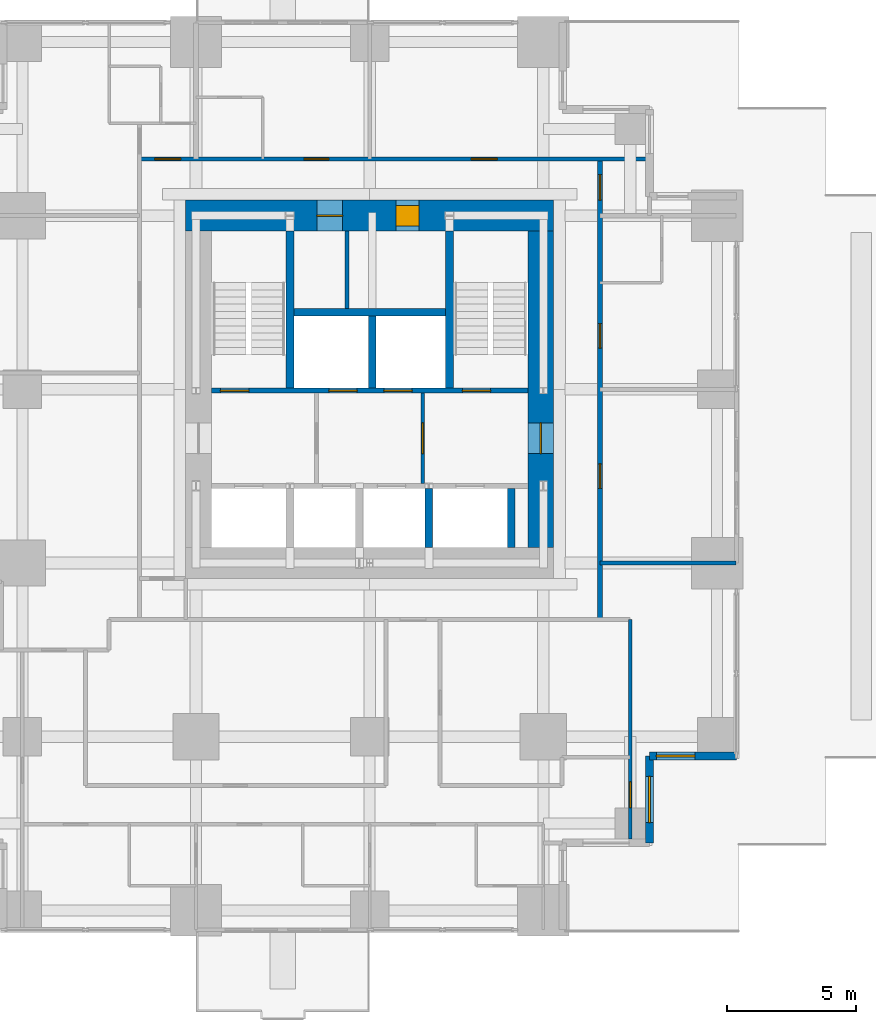
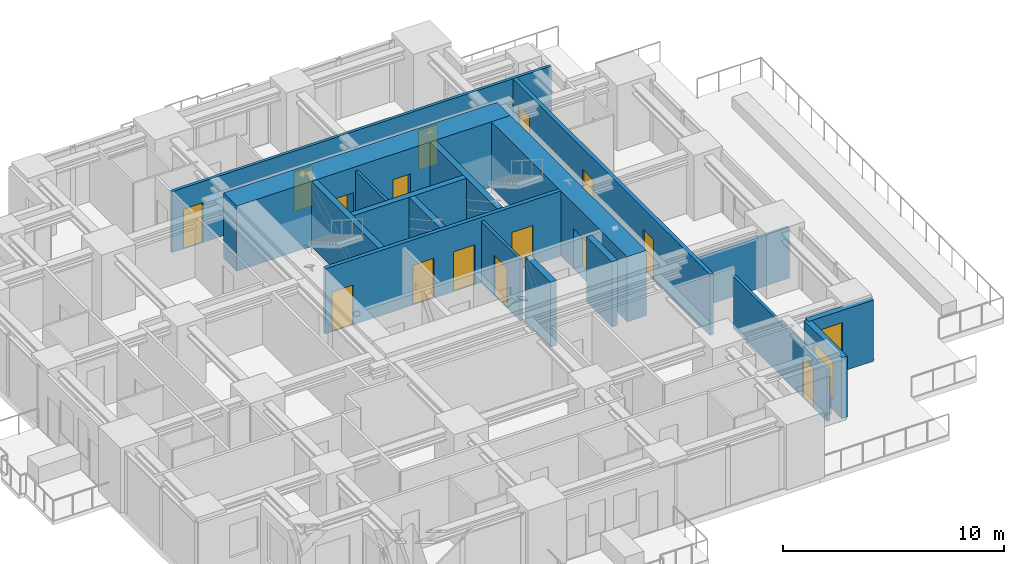
# One storey, part 7 of 10: 17 walls, 15 doors, 2 windows, 17 openings.
"""IFC4 building model written with IfcOpenShell, lengths in metres."""

import ifcopenshell
import ifcopenshell.guid

model = None  # the IFC model being written
_history = None  # IfcOwnerHistory: only IFC2X3 demands one
_inside = {}  # id of a spatial element -> (the spatial element, [elements in it])
_under = {}  # id of a project, library or spatial element -> (it, [spatial elements below it])
_declared = {}  # id of a project -> (the project, [libraries it declares])
_typed = {}  # id of a type object -> (the type object, [elements of that type])
_made_of = {}  # id of a material, layer set ... -> (it, [elements and type objects made of it])


def new_model(schema):
    """Start an empty IFC model of exactly this schema.

    Asked for "IFC4X3", IfcOpenShell would pick the latest addendum, in which some entities
    have other attributes; the version numbers below select the first issue.
    IFC2X3 requires an IfcOwnerHistory on every rooted entity: one is made here for all.
    """
    global model, _history
    if schema == "IFC4X3":
        model = ifcopenshell.file(schema_version=(4, 3, 0, 0))
    else:
        model = ifcopenshell.file(schema=schema)
    _inside.clear()
    _under.clear()
    _declared.clear()
    _typed.clear()
    _made_of.clear()
    _history = None
    if model.schema == "IFC2X3":
        org = make("IfcOrganization", Name="unknown")
        user = make(
            "IfcPersonAndOrganization",
            ThePerson=make("IfcPerson", FamilyName="unknown"),
            TheOrganization=org,
        )
        app = make(
            "IfcApplication",
            ApplicationDeveloper=org,
            Version="unknown",
            ApplicationFullName="unknown",
            ApplicationIdentifier="unknown",
        )
        _history = make(
            "IfcOwnerHistory",
            OwningUser=user,
            OwningApplication=app,
            ChangeAction="ADDED",
            CreationDate=0,
        )
    return model


def make(cls, **values):
    """One entity of the class cls with the attributes given. An attribute that is None is left unset."""
    return model.create_entity(
        cls, **{name: value for name, value in values.items() if value is not None}
    )


def rooted(cls, **values):
    """An entity with a GlobalId (a new one), such as an element, a storey or a relation."""
    return make(cls, GlobalId=ifcopenshell.guid.new(), OwnerHistory=_history, **values)


def si_unit(unit_type, name, prefix=None):
    """IfcSIUnit, for example si_unit("LENGTHUNIT", "METRE", prefix="MILLI")."""
    return make("IfcSIUnit", UnitType=unit_type, Prefix=prefix, Name=name)


def assignment(units):
    """IfcUnitAssignment: the units of a project."""
    return None if units is None else make("IfcUnitAssignment", Units=units)


def point(xyz):
    """IfcCartesianPoint."""
    return None if xyz is None else make("IfcCartesianPoint", Coordinates=xyz)


def direction(xyz):
    """IfcDirection."""
    return None if xyz is None else make("IfcDirection", DirectionRatios=xyz)


def frame(location, z_axis=None, x_axis=None):
    """IfcAxis2Placement3D, a coordinate frame: its origin and axes. An axis left out is left unset."""
    return make(
        "IfcAxis2Placement3D",
        Location=point(location),
        Axis=direction(z_axis),
        RefDirection=direction(x_axis),
    )


def frame_2d(location, x_axis=None):
    """IfcAxis2Placement2D, a coordinate frame in the plane: its origin and x axis."""
    return make(
        "IfcAxis2Placement2D", Location=point(location), RefDirection=direction(x_axis)
    )


def origin():
    """The frame at (0, 0, 0) with its axes left unset."""
    return frame((0.0, 0.0, 0.0))


def place(relative_to, where):
    """IfcLocalPlacement: puts the frame where relative to a parent placement (None: the world)."""
    return make(
        "IfcLocalPlacement", PlacementRelTo=relative_to, RelativePlacement=where
    )


def context(
    kind, dimensions, precision=None, world=None, true_north=None, identifier=None
):
    """IfcGeometricRepresentationContext, for example the 3D "Model" context."""
    return make(
        "IfcGeometricRepresentationContext",
        ContextIdentifier=identifier,
        ContextType=kind,
        CoordinateSpaceDimension=dimensions,
        Precision=precision,
        WorldCoordinateSystem=world,
        TrueNorth=true_north,
    )


def subcontext(parent, identifier, kind, view, scale=None):
    """IfcGeometricRepresentationSubContext, for example "Body" below "Model"."""
    return make(
        "IfcGeometricRepresentationSubContext",
        ContextIdentifier=identifier,
        ContextType=kind,
        ParentContext=parent,
        TargetScale=scale,
        TargetView=view,
    )


def project(units=None, contexts=None):
    """IfcProject with its units and contexts."""
    return rooted(
        "IfcProject",
        Name="project",
        RepresentationContexts=contexts,
        UnitsInContext=assignment(units),
    )


def spatial(cls, under=None, at=None, **own):
    """A site, building, storey or space (cls), placed at a placement, below another one or the project."""
    s = rooted(cls, ObjectPlacement=at, **own)
    if under is not None:
        _under.setdefault(under.id(), (under, []))[1].append(s)
    return s


def profile(cls, at=None, kind="AREA", **sizes):
    """A parametric profile (cls). Its sizes go by their IFC names, for example OverallWidth=200.0."""
    return make(cls, ProfileType=kind, Position=at, **sizes)


def rectangle(**sizes):
    """IfcRectangleProfileDef."""
    return profile("IfcRectangleProfileDef", **sizes)


def extrude(swept, where, along, depth):
    """IfcExtrudedAreaSolid: the profile swept, set in the frame where, extruded along a direction by depth."""
    return make(
        "IfcExtrudedAreaSolid",
        SweptArea=swept,
        Position=where,
        ExtrudedDirection=direction(along),
        Depth=depth,
    )


def shape(context_of_items, identifier, shape_type, items):
    """IfcShapeRepresentation: the items that make up one representation, for example the "Body"."""
    return make(
        "IfcShapeRepresentation",
        ContextOfItems=context_of_items,
        RepresentationIdentifier=identifier,
        RepresentationType=shape_type,
        Items=items,
    )


def material(Name=None, Category=None):
    """IfcMaterial."""
    return make("IfcMaterial", Name=Name, Category=Category)


def layer(
    of_material, thickness, ventilated=None, Name=None, Category=None, Priority=None
):
    """IfcMaterialLayer: one layer of a wall or slab, of a material (None: an air gap)."""
    return make(
        "IfcMaterialLayer",
        Material=of_material,
        LayerThickness=thickness,
        IsVentilated=ventilated,
        Name=Name,
        Category=Category,
        Priority=Priority,
    )


def layer_set(layers, Name=None):
    """IfcMaterialLayerSet."""
    return make("IfcMaterialLayerSet", MaterialLayers=layers, LayerSetName=Name)


def made_of(thing, what):
    """Note that an element or type object is made of a material, layer set ...; save() writes the relation."""
    if what is not None:
        _made_of.setdefault(what.id(), (what, []))[1].append(thing)
    return thing


def type_object(cls, material=None, **own):
    """A type object (cls), such as IfcWallType, which elements share."""
    return made_of(rooted(cls, **own), material)


def element(
    cls,
    number,
    at=None,
    inside=None,
    cuts=None,
    type_object=None,
    material=None,
    context=None,
    identifier="Body",
    shape_type=None,
    held_by="IfcProductDefinitionShape",
    body=None,
    shapes=None,
    **own,
):
    """One element of the class cls, such as IfcWall. Its Tag is "e" and its number.

    at: its placement. inside: the storey or other place that contains it. cuts: it is an
    opening in that element (IfcRelVoidsElement). A single representation is given by context,
    identifier, shape_type and body (its items); several are given by shapes. held_by: the class
    of the entity that holds the representations. save() writes the other relations.
    """
    e = rooted(cls, Tag="e%d" % number, ObjectPlacement=at, **own)
    if body is not None:
        shapes = [shape(context, identifier, shape_type, body)]
    if shapes is not None:
        e.Representation = make(held_by, Representations=shapes)
    if inside is not None:
        _inside.setdefault(inside.id(), (inside, []))[1].append(e)
    if cuts is not None:
        rooted(
            "IfcRelVoidsElement", RelatingBuildingElement=cuts, RelatedOpeningElement=e
        )
    if type_object is not None:
        _typed.setdefault(type_object.id(), (type_object, []))[1].append(e)
    return made_of(e, material)


def fill(opening, filler):
    """IfcRelFillsElement: the door or window that sits in an opening."""
    return rooted(
        "IfcRelFillsElement",
        RelatingOpeningElement=opening,
        RelatedBuildingElement=filler,
    )


def aggregate(whole, parts):
    """IfcRelAggregates: a whole, such as a stair, and the parts it consists of."""
    return rooted("IfcRelAggregates", RelatingObject=whole, RelatedObjects=parts)


def save(model, path):
    """Write the relations noted so far, then the file.

    IfcRelAggregates (storeys below a building ...), IfcRelContainedInSpatialStructure (elements
    in a storey), IfcRelDefinesByType, IfcRelAssociatesMaterial and IfcRelDeclares: one each for
    every whole, place, type object, material and project.
    """
    for whole, parts in _under.values():
        aggregate(whole, parts)
    for where, things in _inside.values():
        rooted(
            "IfcRelContainedInSpatialStructure",
            RelatedElements=things,
            RelatingStructure=where,
        )
    for kind, things in _typed.values():
        rooted("IfcRelDefinesByType", RelatedObjects=things, RelatingType=kind)
    for what, things in _made_of.values():
        rooted("IfcRelAssociatesMaterial", RelatedObjects=things, RelatingMaterial=what)
    for by, libraries in _declared.values():
        rooted("IfcRelDeclares", RelatingContext=by, RelatedDefinitions=libraries)
    model.write(path)


model = new_model("IFC4")

# Units and contexts
model_context = context("Model", 3, precision=1e-05, world=origin(), true_north=direction((0.0, 1.0)))
body_context = subcontext(model_context, "Body", "Model", "MODEL_VIEW")
ifc_project = project(units=[si_unit("LENGTHUNIT", "METRE"), si_unit("AREAUNIT", "SQUARE_METRE"), si_unit("VOLUMEUNIT", "CUBIC_METRE"), si_unit("PLANEANGLEUNIT", "RADIAN"), si_unit("MASSUNIT", "GRAM", prefix="KILO")], contexts=[model_context])

# Site, building, storey
site_placement = place(None, origin())
site = spatial("IfcSite", under=ifc_project, at=site_placement, CompositionType="ELEMENT")
building_placement = place(site_placement, origin())
building = spatial("IfcBuilding", under=site, at=building_placement, Name="Nyansa Garden Tower", CompositionType="ELEMENT")
storey_placement = place(building_placement, frame((0.0, 0.0, 142.199951171875)))
storey = spatial("IfcBuildingStorey", under=building, at=storey_placement, Name="L38", CompositionType="ELEMENT", Elevation=142.199951171875)

# Wall, openings, doors
ifc_material_1 = material(Name="Concrete C70/85", Category="concrete")
ifc_layer_1 = layer(ifc_material_1, 0.199951171875)
ifc_layer_set_1 = layer_set([ifc_layer_1], Name="Core inner wall CI200")
wall_type_1 = type_object("IfcWallType", Name="Core inner wall CI200", PredefinedType="SHEAR", material=ifc_layer_set_1)
wall_1_placement = place(storey_placement, frame((14.10009765625, 20.199951171875, 0.0), z_axis=(0.0, 0.0, 1.0), x_axis=(1.0, 0.0, 0.0)))
wall_1 = element("IfcWall", 1, at=wall_1_placement, inside=storey, type_object=wall_type_1, Name="Core inner wall L38", PredefinedType="SHEAR", context=body_context, shape_type="SweptSolid", body=[
    extrude(rectangle(XDim=12.2998046875, YDim=0.199951171875, at=frame_2d((6.14990234375, 0.0))), origin(), (0.0, 0.0, 1.0), 3.60009765625),
])
opening_1_placement = place(wall_1_placement, frame((4.56005859375, 0.0, 0.0)))
opening_1 = element("IfcOpeningElement", 2, at=opening_1_placement, cuts=wall_1, Name="Opening LD-B", PredefinedType="OPENING", context=body_context, shape_type="SweptSolid", body=[
    extrude(rectangle(XDim=1.10009765625, YDim=2.199951171875, at=frame_2d((0.550048828125, 1.10009765625))), frame((0.0, 0.10986328125, 0.0), z_axis=(0.0, -1.0, 0.0), x_axis=(1.0, 0.0, 0.0)), (0.0, 0.0, 1.0), 0.219970703125),
])
opening_2_placement = place(wall_1_placement, frame((6.699951171875, 0.0, 0.0)))
opening_2 = element("IfcOpeningElement", 3, at=opening_2_placement, cuts=wall_1, Name="Opening LD-B", PredefinedType="OPENING", context=body_context, shape_type="SweptSolid", body=[
    extrude(rectangle(XDim=1.10009765625, YDim=2.199951171875, at=frame_2d((0.550048828125, 1.10009765625))), frame((0.0, 0.10986328125, 0.0), z_axis=(0.0, -1.0, 0.0), x_axis=(1.0, 0.0, 0.0)), (0.0, 0.0, 1.0), 0.219970703125),
])
opening_3_placement = place(wall_1_placement, frame((0.35009765625, 0.0, 0.0)))
opening_3 = element("IfcOpeningElement", 4, at=opening_3_placement, cuts=wall_1, Name="Opening D05", PredefinedType="OPENING", context=body_context, shape_type="SweptSolid", body=[
    extrude(rectangle(XDim=1.10009765625, YDim=2.199951171875, at=frame_2d((0.550048828125, 1.10009765625))), frame((0.0, 0.10986328125, 0.0), z_axis=(0.0, -1.0, 0.0), x_axis=(1.0, 0.0, 0.0)), (0.0, 0.0, 1.0), 0.219970703125),
])
opening_4_placement = place(wall_1_placement, frame((9.75, 0.0, 0.0)))
opening_4 = element("IfcOpeningElement", 5, at=opening_4_placement, cuts=wall_1, Name="Opening D05", PredefinedType="OPENING", context=body_context, shape_type="SweptSolid", body=[
    extrude(rectangle(XDim=1.10009765625, YDim=2.199951171875, at=frame_2d((0.550048828125, 1.10009765625))), frame((0.0, 0.10986328125, 0.0), z_axis=(0.0, -1.0, 0.0), x_axis=(1.0, 0.0, 0.0)), (0.0, 0.0, 1.0), 0.219970703125),
])
ifc_material_2 = material(Name="Stainless steel centre-opening landing door of the high-rise lift, E 120", Category="steel")
door_type_1 = type_object("IfcDoorType", Name="Lift landing door LD-B 1100x2200", OperationType="DOUBLE_DOOR_SLIDING", PredefinedType="DOOR", material=ifc_material_2)
door_1_placement = place(opening_1_placement, origin())
door_1 = element("IfcDoor", 6, at=door_1_placement, inside=storey, type_object=door_type_1, Name="Landing door B3", OperationType="DOUBLE_DOOR_SLIDING", OverallHeight=2.199951171875, OverallWidth=1.10009765625, PredefinedType="DOOR", context=body_context, shape_type="SweptSolid", body=[
    extrude(rectangle(XDim=1.10009765625, YDim=2.199951171875, at=frame_2d((0.550048828125, 1.10009765625))), frame((0.0, 0.02490234375, 0.0), z_axis=(0.0, -1.0, 0.0), x_axis=(1.0, 0.0, 0.0)), (0.0, 0.0, 1.0), 0.050048828125),
])
fill(opening_1, door_1)
door_2_placement = place(opening_2_placement, origin())
door_2 = element("IfcDoor", 7, at=door_2_placement, inside=storey, type_object=door_type_1, Name="Landing door B4", OperationType="DOUBLE_DOOR_SLIDING", OverallHeight=2.199951171875, OverallWidth=1.10009765625, PredefinedType="DOOR", context=body_context, shape_type="SweptSolid", body=[
    extrude(rectangle(XDim=1.10009765625, YDim=2.199951171875, at=frame_2d((0.550048828125, 1.10009765625))), frame((0.0, 0.02490234375, 0.0), z_axis=(0.0, -1.0, 0.0), x_axis=(1.0, 0.0, 0.0)), (0.0, 0.0, 1.0), 0.050048828125),
])
fill(opening_2, door_2)
ifc_material_3 = material(Name="Steel door, 120 minute fire resisting", Category="steel")
door_type_2 = type_object("IfcDoorType", Name="Stair door D05 1100x2200", OperationType="SINGLE_SWING_LEFT", PredefinedType="DOOR", material=ifc_material_3)
door_3_placement = place(opening_3_placement, origin())
door_3 = element("IfcDoor", 8, at=door_3_placement, inside=storey, type_object=door_type_2, Name="Stair S1 door", OperationType="SINGLE_SWING_LEFT", OverallHeight=2.199951171875, OverallWidth=1.10009765625, PredefinedType="DOOR", context=body_context, shape_type="SweptSolid", body=[
    extrude(rectangle(XDim=1.10009765625, YDim=2.199951171875, at=frame_2d((0.550048828125, 1.10009765625))), frame((0.0, 0.02490234375, 0.0), z_axis=(0.0, -1.0, 0.0), x_axis=(1.0, 0.0, 0.0)), (0.0, 0.0, 1.0), 0.050048828125),
])
fill(opening_3, door_3)
door_4_placement = place(opening_4_placement, origin())
door_4 = element("IfcDoor", 9, at=door_4_placement, inside=storey, type_object=door_type_2, Name="Stair S2 door", OperationType="SINGLE_SWING_LEFT", OverallHeight=2.199951171875, OverallWidth=1.10009765625, PredefinedType="DOOR", context=body_context, shape_type="SweptSolid", body=[
    extrude(rectangle(XDim=1.10009765625, YDim=2.199951171875, at=frame_2d((0.550048828125, 1.10009765625))), frame((0.0, 0.02490234375, 0.0), z_axis=(0.0, -1.0, 0.0), x_axis=(1.0, 0.0, 0.0)), (0.0, 0.0, 1.0), 0.050048828125),
])
fill(opening_4, door_4)

# Walls
ifc_material_4 = material(Name="Concrete C70/85", Category="concrete")
ifc_layer_2 = layer(ifc_material_4, 0.300048828125)
ifc_layer_set_2 = layer_set([ifc_layer_2], Name="Core inner wall CI300")
wall_type_2 = type_object("IfcWallType", Name="Core inner wall CI300", PredefinedType="SHEAR", material=ifc_layer_set_2)
for number, where, z_axis, x_axis, name in (
    (10, (17.14990234375, 20.300048828125, 0.0), (0.0, 0.0, 1.0), (0.0, 1.0, 0.0), "Core inner wall L38"),
    (11, (23.35009765625, 20.300048828125, 0.0), (0.0, 0.0, 1.0), (0.0, 1.0, 0.0), "Core inner wall L38"),
):
    element("IfcWall", number, at=place(storey_placement, frame(where, z_axis=z_axis, x_axis=x_axis)), inside=storey, type_object=wall_type_2, Name=name, PredefinedType="SHEAR", context=body_context, shape_type="SweptSolid", body=[
        extrude(rectangle(XDim=6.099853515625, YDim=0.300048828125, at=frame_2d((3.0498046875, 0.0))), origin(), (0.0, 0.0, 1.0), 3.60009765625),
    ])
wall_2_placement = place(storey_placement, frame((20.35009765625, 20.300048828125, 0.0), z_axis=(0.0, 0.0, 1.0), x_axis=(0.0, 1.0, 0.0)))
element("IfcWall", 12, at=wall_2_placement, inside=storey, type_object=wall_type_2, Name="Core inner wall L38", PredefinedType="SHEAR", context=body_context, shape_type="SweptSolid", body=[
    extrude(rectangle(XDim=2.800048828125, YDim=0.300048828125, at=frame_2d((1.39990234375, 0.0))), origin(), (0.0, 0.0, 1.0), 3.60009765625),
])
wall_3_placement = place(storey_placement, frame((17.300048828125, 23.25, 0.0), z_axis=(0.0, 0.0, 1.0), x_axis=(1.0, 0.0, 0.0)))
element("IfcWall", 13, at=wall_3_placement, inside=storey, type_object=wall_type_2, Name="Core inner wall L38", PredefinedType="SHEAR", context=body_context, shape_type="SweptSolid", body=[
    extrude(rectangle(XDim=5.89990234375, YDim=0.300048828125, at=frame_2d((2.949951171875, 0.0))), origin(), (0.0, 0.0, 1.0), 3.60009765625),
])
for number, where, z_axis, x_axis, name in (
    (14, (22.550048828125, 14.10009765625, 0.0), (0.0, 0.0, 1.0), (0.0, 1.0, 0.0), "Core inner wall L38"),
    (15, (25.75, 14.10009765625, 0.0), (0.0, 0.0, 1.0), (0.0, 1.0, 0.0), "Core inner wall L38"),
):
    element("IfcWall", number, at=place(storey_placement, frame(where, z_axis=z_axis, x_axis=x_axis)), inside=storey, type_object=wall_type_2, Name=name, PredefinedType="SHEAR", context=body_context, shape_type="SweptSolid", body=[
        extrude(rectangle(XDim=2.2998046875, YDim=0.300048828125, at=frame_2d((1.14990234375, 0.0))), origin(), (0.0, 0.0, 1.0), 3.60009765625),
    ])

# Wall, opening, door
ifc_material_5 = material(Name="Concrete C80/95", Category="concrete")
ifc_layer_3 = layer(ifc_material_5, 1.0)
ifc_layer_set_3 = layer_set([ifc_layer_3], Name="Core wall CW1000")
wall_type_3 = type_object("IfcWallType", Name="Core wall CW1000", PredefinedType="SHEAR", material=ifc_layer_set_3)
wall_4_placement = place(storey_placement, frame((26.89990234375, 14.10009765625, 0.0), z_axis=(0.0, 0.0, 1.0), x_axis=(0.0, 1.0, 0.0)))
wall_4 = element("IfcWall", 16, at=wall_4_placement, inside=storey, type_object=wall_type_3, Name="Core wall E L38", PredefinedType="SHEAR", context=body_context, shape_type="SweptSolid", body=[
    extrude(rectangle(XDim=12.2998046875, YDim=1.0, at=frame_2d((6.14990234375, 0.0))), origin(), (0.0, 0.0, 1.0), 3.60009765625),
])
opening_5_placement = place(wall_4_placement, frame((3.64990234375, 0.0, 0.0)))
opening_5 = element("IfcOpeningElement", 17, at=opening_5_placement, cuts=wall_4, Name="Opening D06", PredefinedType="OPENING", context=body_context, shape_type="SweptSolid", body=[
    extrude(rectangle(XDim=1.199951171875, YDim=2.199951171875, at=frame_2d((0.60009765625, 1.10009765625))), frame((0.0, 0.510009765625, 0.0), z_axis=(0.0, -1.0, 0.0), x_axis=(1.0, 0.0, 0.0)), (0.0, 0.0, 1.0), 1.02001953125),
])
ifc_material_6 = material(Name="Steel door, 120 minute fire resisting", Category="steel")
door_type_3 = type_object("IfcDoorType", Name="Lobby door D06 1200x2200", OperationType="DOUBLE_DOOR_SINGLE_SWING", PredefinedType="DOOR", material=ifc_material_6)
door_5_placement = place(opening_5_placement, origin())
door_5 = element("IfcDoor", 18, at=door_5_placement, inside=storey, type_object=door_type_3, Name="Lift lobby door east", OperationType="DOUBLE_DOOR_SINGLE_SWING", OverallHeight=2.199951171875, OverallWidth=1.199951171875, PredefinedType="DOOR", context=body_context, shape_type="SweptSolid", body=[
    extrude(rectangle(XDim=1.199951171875, YDim=2.199951171875, at=frame_2d((0.60009765625, 1.10009765625))), frame((0.0, 0.02490234375, 0.0), z_axis=(0.0, -1.0, 0.0), x_axis=(1.0, 0.0, 0.0)), (0.0, 0.0, 1.0), 0.050048828125),
])
fill(opening_5, door_5)

# Wall, openings, doors
ifc_material_7 = material(Name="Concrete C80/95", Category="concrete")
ifc_layer_4 = layer(ifc_material_7, 1.199951171875)
ifc_layer_set_4 = layer_set([ifc_layer_4], Name="Core wall CW1200")
wall_type_4 = type_object("IfcWallType", Name="Core wall CW1200", PredefinedType="SHEAR", material=ifc_layer_set_4)
wall_5_placement = place(storey_placement, frame((27.39990234375, 27.0, 0.0), z_axis=(0.0, 0.0, 1.0), x_axis=(-1.0, 0.0, 0.0)))
wall_5 = element("IfcWall", 19, at=wall_5_placement, inside=storey, type_object=wall_type_4, Name="Core wall N L38", PredefinedType="SHEAR", context=body_context, shape_type="SweptSolid", body=[
    extrude(rectangle(XDim=14.2998046875, YDim=1.199951171875, at=frame_2d((7.14990234375, 0.0))), origin(), (0.0, 0.0, 1.0), 3.60009765625),
])
opening_6_placement = place(wall_5_placement, frame((5.22509765625, 0.0, 0.0)))
opening_6 = element("IfcOpeningElement", 20, at=opening_6_placement, cuts=wall_5, Name="Opening D15", PredefinedType="OPENING", context=body_context, shape_type="SweptSolid", body=[
    extrude(rectangle(XDim=0.89990234375, YDim=2.199951171875, at=frame_2d((0.449951171875, 1.10009765625))), frame((0.0, 0.60986328125, 0.0), z_axis=(0.0, -1.0, 0.0), x_axis=(1.0, 0.0, 0.0)), (0.0, 0.0, 1.0), 1.219970703125),
])
opening_7_placement = place(wall_5_placement, frame((8.199951171875, 0.0, 0.0)))
opening_7 = element("IfcOpeningElement", 21, at=opening_7_placement, cuts=wall_5, Name="Opening D07", PredefinedType="OPENING", context=body_context, shape_type="SweptSolid", body=[
    extrude(rectangle(XDim=1.0, YDim=2.199951171875, at=frame_2d((0.5, 1.10009765625))), frame((0.0, 0.60986328125, 0.0), z_axis=(0.0, -1.0, 0.0), x_axis=(1.0, 0.0, 0.0)), (0.0, 0.0, 1.0), 1.219970703125),
])
ifc_material_8 = material(Name="Timber flush door, 60 minute fire resisting, self-closing", Category="wood")
door_type_4 = type_object("IfcDoorType", Name="Core room door D15 900x2200", OperationType="SINGLE_SWING_LEFT", PredefinedType="DOOR", material=ifc_material_8)
door_6_placement = place(opening_6_placement, origin())
door_6 = element("IfcDoor", 22, at=door_6_placement, inside=storey, type_object=door_type_4, Name="Core room door", OperationType="SINGLE_SWING_LEFT", OverallHeight=2.199951171875, OverallWidth=0.89990234375, PredefinedType="DOOR", context=body_context, shape_type="SweptSolid", body=[
    extrude(rectangle(XDim=0.89990234375, YDim=2.199951171875, at=frame_2d((0.449951171875, 1.10009765625))), frame((0.0, 0.39990234375, 0.0), z_axis=(0.0, -1.0, 0.0), x_axis=(1.0, 0.0, 0.0)), (0.0, 0.0, 1.0), 0.800048828125),
])
fill(opening_6, door_6)
ifc_material_9 = material(Name="Steel door, 120 minute fire resisting", Category="steel")
door_type_5 = type_object("IfcDoorType", Name="Riser door D07 1000x2200", OperationType="SINGLE_SWING_LEFT", PredefinedType="DOOR", material=ifc_material_9)
door_7_placement = place(opening_7_placement, origin())
door_7 = element("IfcDoor", 23, at=door_7_placement, inside=storey, type_object=door_type_5, Name="Riser and refuse room door", OperationType="SINGLE_SWING_LEFT", OverallHeight=2.199951171875, OverallWidth=1.0, PredefinedType="DOOR", context=body_context, shape_type="SweptSolid", body=[
    extrude(rectangle(XDim=1.0, YDim=2.199951171875, at=frame_2d((0.5, 1.10009765625))), frame((0.0, 0.02490234375, 0.0), z_axis=(0.0, -1.0, 0.0), x_axis=(1.0, 0.0, 0.0)), (0.0, 0.0, 1.0), 0.050048828125),
])
fill(opening_7, door_7)

ifc_material_10 = material(Name="Concrete blockwork, plastered, 60 minute fire resisting", Category="masonry")
ifc_layer_5 = layer(ifc_material_10, 0.199951171875)
ifc_layer_set_5 = layer_set([ifc_layer_5], Name="Corridor wall FW200")
wall_type_5 = type_object("IfcWallType", Name="Corridor wall FW200", PredefinedType="PARTITIONING", material=ifc_layer_set_5)
wall_6_placement = place(storey_placement, frame((29.199951171875, 11.300048828125, 0.0), z_axis=(0.0, 0.0, 1.0), x_axis=(0.0, 1.0, 0.0)))
wall_6 = element("IfcWall", 24, at=wall_6_placement, inside=storey, type_object=wall_type_5, Name="Corridor wall", PredefinedType="PARTITIONING", context=body_context, shape_type="SweptSolid", body=[
    extrude(rectangle(XDim=17.89990234375, YDim=0.199951171875, at=frame_2d((8.949951171875, 0.0))), origin(), (0.0, 0.0, 1.0), 3.375),
])
opening_8_placement = place(wall_6_placement, frame((10.550048828125, 0.0, 0.0)))
opening_8 = element("IfcOpeningElement", 25, at=opening_8_placement, cuts=wall_6, Name="Opening D14", PredefinedType="OPENING", context=body_context, shape_type="SweptSolid", body=[
    extrude(rectangle(XDim=0.949951171875, YDim=2.199951171875, at=frame_2d((0.47509765625, 1.10009765625))), frame((0.0, 0.10986328125, 0.0), z_axis=(0.0, -1.0, 0.0), x_axis=(1.0, 0.0, 0.0)), (0.0, 0.0, 1.0), 0.219970703125),
])
opening_9_placement = place(wall_6_placement, frame((16.300048828125, 0.0, 0.0)))
opening_9 = element("IfcOpeningElement", 26, at=opening_9_placement, cuts=wall_6, Name="Opening D03", PredefinedType="OPENING", context=body_context, shape_type="SweptSolid", body=[
    extrude(rectangle(XDim=1.0, YDim=2.199951171875, at=frame_2d((0.5, 1.10009765625))), frame((0.0, 0.10986328125, 0.0), z_axis=(0.0, -1.0, 0.0), x_axis=(1.0, 0.0, 0.0)), (0.0, 0.0, 1.0), 0.219970703125),
])
opening_10_placement = place(wall_6_placement, frame((5.10009765625, 0.0, 0.0)))
opening_10 = element("IfcOpeningElement", 27, at=opening_10_placement, cuts=wall_6, Name="Opening D01", PredefinedType="OPENING", context=body_context, shape_type="SweptSolid", body=[
    extrude(rectangle(XDim=0.949951171875, YDim=2.199951171875, at=frame_2d((0.47509765625, 1.10009765625))), frame((0.0, 0.10986328125, 0.0), z_axis=(0.0, -1.0, 0.0), x_axis=(1.0, 0.0, 0.0)), (0.0, 0.0, 1.0), 0.219970703125),
])
ifc_material_11 = material(Name="Timber flush door, 30 minute fire resisting", Category="wood")
door_type_6 = type_object("IfcDoorType", Name="Bedroom door D01 950x2200", OperationType="SINGLE_SWING_LEFT", PredefinedType="DOOR", material=ifc_material_11)
door_8_placement = place(opening_10_placement, origin())
door_8 = element("IfcDoor", 28, at=door_8_placement, inside=storey, type_object=door_type_6, Name="Door L38-048", OperationType="SINGLE_SWING_LEFT", OverallHeight=2.199951171875, OverallWidth=0.949951171875, PredefinedType="DOOR", context=body_context, shape_type="SweptSolid", body=[
    extrude(rectangle(XDim=0.949951171875, YDim=2.199951171875, at=frame_2d((0.47509765625, 1.10009765625))), frame((0.0, 0.02490234375, 0.0), z_axis=(0.0, -1.0, 0.0), x_axis=(1.0, 0.0, 0.0)), (0.0, 0.0, 1.0), 0.050048828125),
])
fill(opening_10, door_8)
ifc_material_12 = material(Name="Timber flush door, 60 minute fire resisting", Category="wood")
door_type_7 = type_object("IfcDoorType", Name="Cluster entrance door D03 1000x2200", OperationType="SINGLE_SWING_LEFT", PredefinedType="DOOR", material=ifc_material_12)
door_9_placement = place(opening_9_placement, origin())
door_9 = element("IfcDoor", 29, at=door_9_placement, inside=storey, type_object=door_type_7, Name="Door L38-032", OperationType="SINGLE_SWING_LEFT", OverallHeight=2.199951171875, OverallWidth=1.0, PredefinedType="DOOR", context=body_context, shape_type="SweptSolid", body=[
    extrude(rectangle(XDim=1.0, YDim=2.199951171875, at=frame_2d((0.5, 1.10009765625))), frame((0.0, 0.02490234375, 0.0), z_axis=(0.0, -1.0, 0.0), x_axis=(1.0, 0.0, 0.0)), (0.0, 0.0, 1.0), 0.050048828125),
])
fill(opening_9, door_9)
ifc_material_13 = material(Name="Timber flush door, 60 minute fire resisting, self-closing", Category="wood")
door_type_8 = type_object("IfcDoorType", Name="Studio entrance door D14 950x2200", OperationType="SINGLE_SWING_LEFT", PredefinedType="DOOR", material=ifc_material_13)
door_10_placement = place(opening_8_placement, origin())
door_10 = element("IfcDoor", 30, at=door_10_placement, inside=storey, type_object=door_type_8, Name="Door L38-028", OperationType="SINGLE_SWING_LEFT", OverallHeight=2.199951171875, OverallWidth=0.949951171875, PredefinedType="DOOR", context=body_context, shape_type="SweptSolid", body=[
    extrude(rectangle(XDim=0.949951171875, YDim=2.199951171875, at=frame_2d((0.47509765625, 1.10009765625))), frame((0.0, 0.02490234375, 0.0), z_axis=(0.0, -1.0, 0.0), x_axis=(1.0, 0.0, 0.0)), (0.0, 0.0, 1.0), 0.050048828125),
])
fill(opening_8, door_10)

# Wall, opening, door
ifc_material_14 = material(Name="Blockwork, plastered both sides", Category="masonry")
ifc_layer_6 = layer(ifc_material_14, 0.14990234375)
ifc_layer_set_6 = layer_set([ifc_layer_6], Name="Partition PW150")
wall_type_6 = type_object("IfcWallType", Name="Partition PW150", PredefinedType="PARTITIONING", material=ifc_layer_set_6)
wall_7_placement = place(storey_placement, frame((22.31494140625, 16.60009765625, 0.0), z_axis=(0.0, 0.0, 1.0), x_axis=(0.0, 1.0, 0.0)))
wall_7 = element("IfcWall", 31, at=wall_7_placement, inside=storey, type_object=wall_type_6, Name="Partition", PredefinedType="PARTITIONING", context=body_context, shape_type="SweptSolid", body=[
    extrude(rectangle(XDim=3.5, YDim=0.14990234375, at=frame_2d((1.75, 0.0))), origin(), (0.0, 0.0, 1.0), 3.375),
])
opening_11_placement = place(wall_7_placement, frame((1.14990234375, 0.0, 0.0)))
opening_11 = element("IfcOpeningElement", 32, at=opening_11_placement, cuts=wall_7, Name="Opening D06", PredefinedType="OPENING", context=body_context, shape_type="SweptSolid", body=[
    extrude(rectangle(XDim=1.199951171875, YDim=2.199951171875, at=frame_2d((0.60009765625, 1.10009765625))), frame((0.0, 0.0849609375, 0.0), z_axis=(0.0, -1.0, 0.0), x_axis=(1.0, 0.0, 0.0)), (0.0, 0.0, 1.0), 0.169921875),
])
door_11_placement = place(opening_11_placement, origin())
door_11 = element("IfcDoor", 33, at=door_11_placement, inside=storey, type_object=door_type_3, Name="Passenger lift lobby door", OperationType="DOUBLE_DOOR_SINGLE_SWING", OverallHeight=2.199951171875, OverallWidth=1.199951171875, PredefinedType="DOOR", context=body_context, shape_type="SweptSolid", body=[
    extrude(rectangle(XDim=1.199951171875, YDim=2.199951171875, at=frame_2d((0.60009765625, 1.10009765625))), frame((0.0, 0.02490234375, 0.0), z_axis=(0.0, -1.0, 0.0), x_axis=(1.0, 0.0, 0.0)), (0.0, 0.0, 1.0), 0.050048828125),
])
fill(opening_11, door_11)

# Wall
wall_8_placement = place(storey_placement, frame((19.375, 23.39990234375, 0.0), z_axis=(0.0, 0.0, 1.0), x_axis=(0.0, 1.0, 0.0)))
element("IfcWall", 34, at=wall_8_placement, inside=storey, type_object=wall_type_6, Name="Partition", PredefinedType="PARTITIONING", context=body_context, shape_type="SweptSolid", body=[
    extrude(rectangle(XDim=3.0, YDim=0.14990234375, at=frame_2d((1.5, 0.0))), origin(), (0.0, 0.0, 1.0), 3.375),
])

# Wall, openings, doors
wall_9_placement = place(storey_placement, frame((11.300048828125, 29.199951171875, 0.0), z_axis=(0.0, 0.0, 1.0), x_axis=(1.0, 0.0, 0.0)))
wall_9 = element("IfcWall", 35, at=wall_9_placement, inside=storey, type_object=wall_type_6, Name="Partition", PredefinedType="PARTITIONING", context=body_context, shape_type="SweptSolid", body=[
    extrude(rectangle(XDim=19.808837890625, YDim=0.14990234375, at=frame_2d((9.904296875, 0.0))), origin(), (0.0, 0.0, 1.0), 3.375),
])
opening_12_placement = place(wall_9_placement, frame((12.89990234375, 0.0, 0.0)))
opening_12 = element("IfcOpeningElement", 36, at=opening_12_placement, cuts=wall_9, Name="Opening D03", PredefinedType="OPENING", context=body_context, shape_type="SweptSolid", body=[
    extrude(rectangle(XDim=1.0, YDim=2.199951171875, at=frame_2d((0.5, 1.10009765625))), frame((0.0, 0.0849609375, 0.0), z_axis=(0.0, -1.0, 0.0), x_axis=(1.0, 0.0, 0.0)), (0.0, 0.0, 1.0), 0.169921875),
])
opening_13_placement = place(wall_9_placement, frame((6.39990234375, 0.0, 0.0)))
opening_13 = element("IfcOpeningElement", 37, at=opening_13_placement, cuts=wall_9, Name="Opening D14", PredefinedType="OPENING", context=body_context, shape_type="SweptSolid", body=[
    extrude(rectangle(XDim=0.949951171875, YDim=2.199951171875, at=frame_2d((0.47509765625, 1.10009765625))), frame((0.0, 0.0849609375, 0.0), z_axis=(0.0, -1.0, 0.0), x_axis=(1.0, 0.0, 0.0)), (0.0, 0.0, 1.0), 0.169921875),
])
opening_14_placement = place(wall_9_placement, frame((0.60009765625, 0.0, 0.0)))
opening_14 = element("IfcOpeningElement", 38, at=opening_14_placement, cuts=wall_9, Name="Opening D03", PredefinedType="OPENING", context=body_context, shape_type="SweptSolid", body=[
    extrude(rectangle(XDim=1.0, YDim=2.199951171875, at=frame_2d((0.5, 1.10009765625))), frame((0.0, 0.0849609375, 0.0), z_axis=(0.0, -1.0, 0.0), x_axis=(1.0, 0.0, 0.0)), (0.0, 0.0, 1.0), 0.169921875),
])
door_12_placement = place(opening_12_placement, origin())
door_12 = element("IfcDoor", 39, at=door_12_placement, inside=storey, type_object=door_type_7, Name="Door L38-033", OperationType="SINGLE_SWING_LEFT", OverallHeight=2.199951171875, OverallWidth=1.0, PredefinedType="DOOR", context=body_context, shape_type="SweptSolid", body=[
    extrude(rectangle(XDim=1.0, YDim=2.199951171875, at=frame_2d((0.5, 1.10009765625))), frame((0.0, 0.02490234375, 0.0), z_axis=(0.0, -1.0, 0.0), x_axis=(1.0, 0.0, 0.0)), (0.0, 0.0, 1.0), 0.050048828125),
])
fill(opening_12, door_12)
door_13_placement = place(opening_14_placement, origin())
door_13 = element("IfcDoor", 40, at=door_13_placement, inside=storey, type_object=door_type_7, Name="Door L38-038", OperationType="SINGLE_SWING_LEFT", OverallHeight=2.199951171875, OverallWidth=1.0, PredefinedType="DOOR", context=body_context, shape_type="SweptSolid", body=[
    extrude(rectangle(XDim=1.0, YDim=2.199951171875, at=frame_2d((0.5, 1.10009765625))), frame((0.0, 0.02490234375, 0.0), z_axis=(0.0, -1.0, 0.0), x_axis=(1.0, 0.0, 0.0)), (0.0, 0.0, 1.0), 0.050048828125),
])
fill(opening_14, door_13)
door_14_placement = place(opening_13_placement, origin())
door_14 = element("IfcDoor", 41, at=door_14_placement, inside=storey, type_object=door_type_8, Name="Door L38-034", OperationType="SINGLE_SWING_LEFT", OverallHeight=2.199951171875, OverallWidth=0.949951171875, PredefinedType="DOOR", context=body_context, shape_type="SweptSolid", body=[
    extrude(rectangle(XDim=0.949951171875, YDim=2.199951171875, at=frame_2d((0.47509765625, 1.10009765625))), frame((0.0, 0.02490234375, 0.0), z_axis=(0.0, -1.0, 0.0), x_axis=(1.0, 0.0, 0.0)), (0.0, 0.0, 1.0), 0.050048828125),
])
fill(opening_13, door_14)

# Wall
wall_10_placement = place(storey_placement, frame((29.199951171875, 13.5, 0.0), z_axis=(0.0, 0.0, 1.0), x_axis=(1.0, 0.0, 0.0)))
element("IfcWall", 42, at=wall_10_placement, inside=storey, type_object=wall_type_6, Name="Partition", PredefinedType="PARTITIONING", context=body_context, shape_type="SweptSolid", body=[
    extrude(rectangle(XDim=5.283935546875, YDim=0.14990234375, at=frame_2d((2.64208984375, 0.0))), origin(), (0.0, 0.0, 1.0), 2.80615234375),
])

# Wall, opening, door
wall_11_placement = place(storey_placement, frame((30.375, 2.77490234375, 0.0), z_axis=(0.0, 0.0, 1.0), x_axis=(0.0, 1.0, 0.0)))
wall_11 = element("IfcWall", 43, at=wall_11_placement, inside=storey, type_object=wall_type_6, Name="Partition", PredefinedType="PARTITIONING", context=body_context, shape_type="SweptSolid", body=[
    extrude(rectangle(XDim=8.525146484375, YDim=0.14990234375, at=frame_2d((4.2626953125, 0.0))), origin(), (0.0, 0.0, 1.0), 2.876953125),
])
opening_15_placement = place(wall_11_placement, frame((1.216064453125, 0.0, 0.0)))
opening_15 = element("IfcOpeningElement", 44, at=opening_15_placement, cuts=wall_11, Name="Opening D03", PredefinedType="OPENING", context=body_context, shape_type="SweptSolid", body=[
    extrude(rectangle(XDim=1.0, YDim=2.199951171875, at=frame_2d((0.5, 1.10009765625))), frame((0.0, 0.0849609375, 0.0), z_axis=(0.0, -1.0, 0.0), x_axis=(1.0, 0.0, 0.0)), (0.0, 0.0, 1.0), 0.169921875),
])
door_15_placement = place(opening_15_placement, origin())
door_15 = element("IfcDoor", 45, at=door_15_placement, inside=storey, type_object=door_type_7, Name="Door L38-027", OperationType="SINGLE_SWING_LEFT", OverallHeight=2.199951171875, OverallWidth=1.0, PredefinedType="DOOR", context=body_context, shape_type="SweptSolid", body=[
    extrude(rectangle(XDim=1.0, YDim=2.199951171875, at=frame_2d((0.5, 1.10009765625))), frame((0.0, 0.02490234375, 0.0), z_axis=(0.0, -1.0, 0.0), x_axis=(1.0, 0.0, 0.0)), (0.0, 0.0, 1.0), 0.050048828125),
])
fill(opening_15, door_15)

# Wall, opening, window
ifc_material_15 = material(Name="Turquoise glazed tile on concrete blockwork", Category="masonry")
ifc_layer_7 = layer(ifc_material_15, 0.300048828125)
ifc_layer_set_7 = layer_set([ifc_layer_7], Name="Tiled corner wall TW300")
wall_type_7 = type_object("IfcWallType", Name="Tiled corner wall TW300", PredefinedType="SOLIDWALL", material=ifc_layer_set_7)
wall_12_placement = place(storey_placement, frame((31.125, 2.625, 0.0), z_axis=(0.0, 0.0, 1.0), x_axis=(0.0, 1.0, 0.0)))
wall_12 = element("IfcWall", 46, at=wall_12_placement, inside=storey, type_object=wall_type_7, Name="Tiled corner wall L38", PredefinedType="SOLIDWALL", context=body_context, shape_type="SweptSolid", body=[
    extrude(rectangle(XDim=3.375, YDim=0.300048828125, at=frame_2d((1.6875, 0.0))), origin(), (0.0, 0.0, 1.0), 3.375),
])
opening_16_placement = place(wall_12_placement, frame((0.78759765625, 0.0, 0.60009765625)))
opening_16 = element("IfcOpeningElement", 47, at=opening_16_placement, cuts=wall_12, Name="Opening W2", PredefinedType="OPENING", context=body_context, shape_type="SweptSolid", body=[
    extrude(rectangle(XDim=1.800048828125, YDim=2.10009765625, at=frame_2d((0.89990234375, 1.050048828125))), frame((0.0, 0.159912109375, 0.0), z_axis=(0.0, -1.0, 0.0), x_axis=(1.0, 0.0, 0.0)), (0.0, 0.0, 1.0), 0.320068359375),
])
ifc_material_16 = material(Name="Black aluminium frame, dark tinted double glazing", Category="aluminium")
window_type_1 = type_object("IfcWindowType", Name="Window W2 1800x2100", PartitioningType="SINGLE_PANEL", PredefinedType="WINDOW", material=ifc_material_16)
window_1_placement = place(opening_16_placement, origin())
window_1 = element("IfcWindow", 48, at=window_1_placement, inside=storey, type_object=window_type_1, Name="Corner window L38", OverallHeight=2.10009765625, OverallWidth=1.800048828125, PartitioningType="SINGLE_PANEL", PredefinedType="WINDOW", context=body_context, shape_type="SweptSolid", body=[
    extrude(rectangle(XDim=1.800048828125, YDim=2.10009765625, at=frame_2d((0.89990234375, 1.050048828125))), frame((0.0, 0.030029296875, 0.0), z_axis=(0.0, -1.0, 0.0), x_axis=(1.0, 0.0, 0.0)), (0.0, 0.0, 1.0), 0.06005859375),
])
fill(opening_16, window_1)

wall_13_placement = place(storey_placement, frame((31.125, 6.0, 0.0), z_axis=(0.0, 0.0, 1.0), x_axis=(1.0, 0.0, 0.0)))
wall_13 = element("IfcWall", 49, at=wall_13_placement, inside=storey, type_object=wall_type_7, Name="Tiled corner wall L38", PredefinedType="SOLIDWALL", context=body_context, shape_type="SweptSolid", body=[
    extrude(rectangle(XDim=3.375, YDim=0.300048828125, at=frame_2d((1.6875, 0.0))), origin(), (0.0, 0.0, 1.0), 3.375),
])
opening_17_placement = place(wall_13_placement, frame((0.267578125, 0.0, 0.89990234375)))
opening_17 = element("IfcOpeningElement", 50, at=opening_17_placement, cuts=wall_13, Name="Opening W1", PredefinedType="OPENING", context=body_context, shape_type="SweptSolid", body=[
    extrude(rectangle(XDim=1.5, YDim=1.800048828125, at=frame_2d((0.75, 0.89990234375))), frame((0.0, 0.159912109375, 0.0), z_axis=(0.0, -1.0, 0.0), x_axis=(1.0, 0.0, 0.0)), (0.0, 0.0, 1.0), 0.320068359375),
])
ifc_material_17 = material(Name="Black aluminium frame, dark tinted double glazing", Category="aluminium")
window_type_2 = type_object("IfcWindowType", Name="Window W1 1500x1800", PartitioningType="SINGLE_PANEL", PredefinedType="WINDOW", material=ifc_material_17)
window_2_placement = place(opening_17_placement, origin())
window_2 = element("IfcWindow", 51, at=window_2_placement, inside=storey, type_object=window_type_2, Name="Corner window L38", OverallHeight=1.800048828125, OverallWidth=1.5, PartitioningType="SINGLE_PANEL", PredefinedType="WINDOW", context=body_context, shape_type="SweptSolid", body=[
    extrude(rectangle(XDim=1.5, YDim=1.800048828125, at=frame_2d((0.75, 0.89990234375))), frame((0.0, 0.030029296875, 0.0), z_axis=(0.0, -1.0, 0.0), x_axis=(1.0, 0.0, 0.0)), (0.0, 0.0, 1.0), 0.06005859375),
])
fill(opening_17, window_2)

save(model, "model.ifc")
